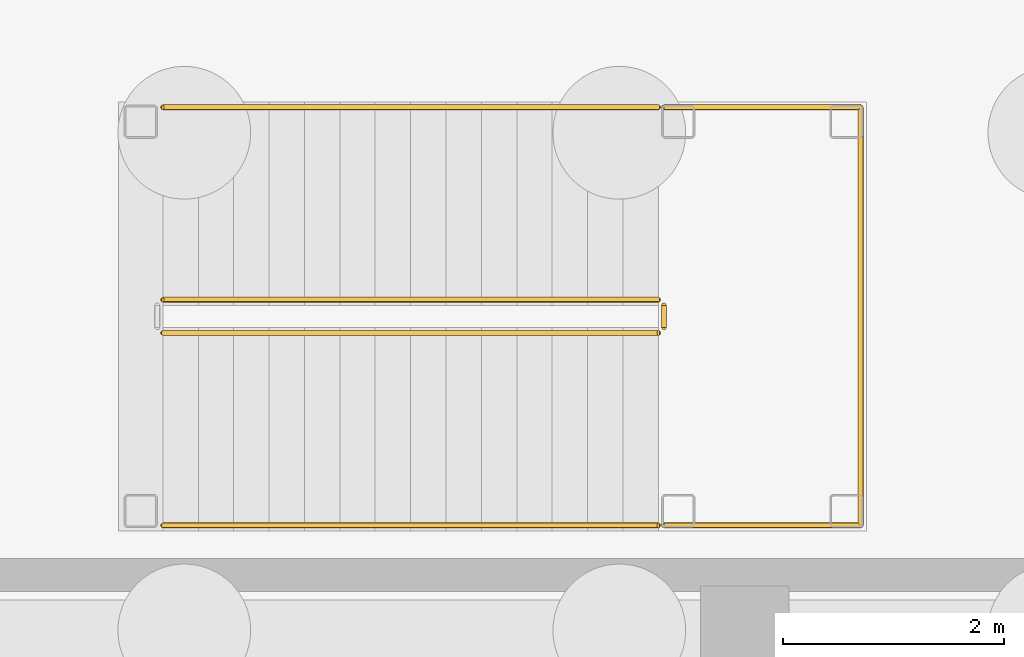
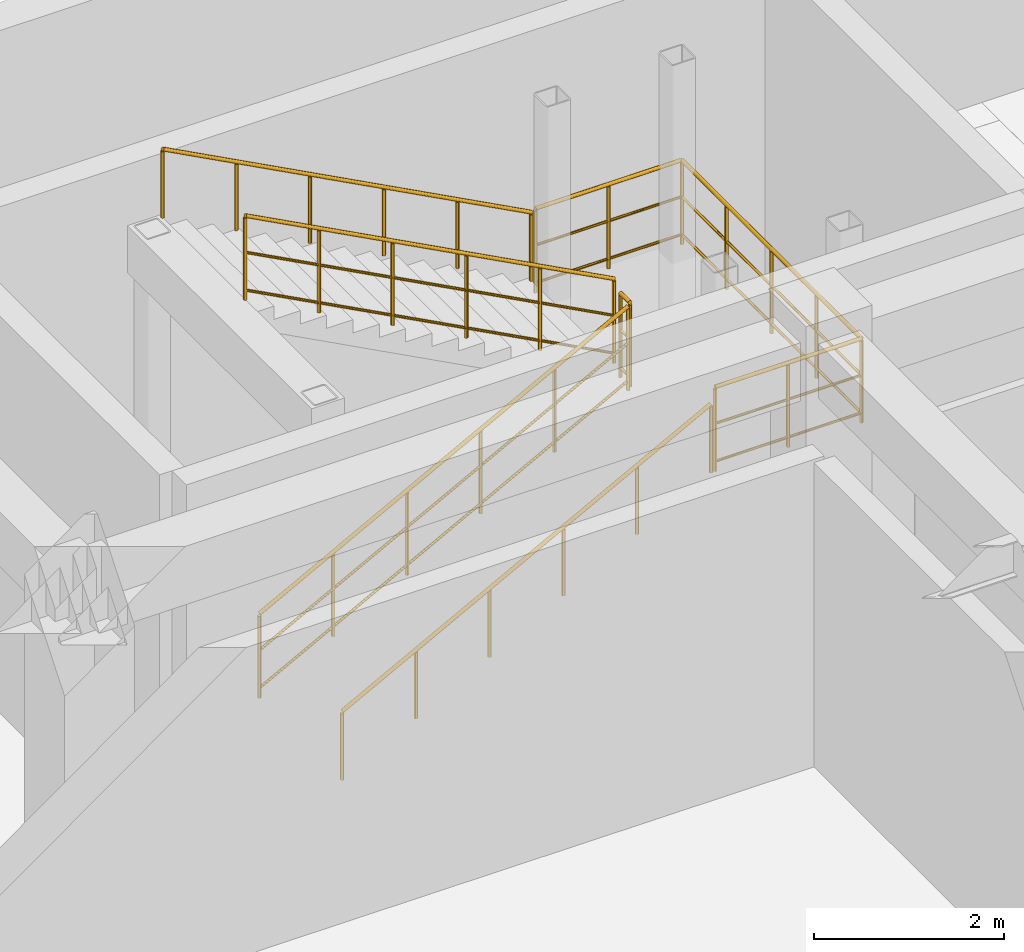
# One storey, part 61 of 62: 6 railings.
"""IFC4 building model written with IfcOpenShell, lengths in metres."""

from ifc_helpers import new_model, si_unit, direction, frame, origin, origin_2d, place, context, subcontext, project, spatial, circle, extrude, material, type_object, element, save


model = new_model("IFC4")

# Units and contexts
model_context = context("Model", 3, precision=1e-05, world=origin(), true_north=direction((0.0, 1.0)))
body_context = subcontext(model_context, "Body", "Model", "MODEL_VIEW")
ifc_project = project(units=[si_unit("LENGTHUNIT", "METRE"), si_unit("AREAUNIT", "SQUARE_METRE"), si_unit("VOLUMEUNIT", "CUBIC_METRE"), si_unit("PLANEANGLEUNIT", "RADIAN"), si_unit("MASSUNIT", "GRAM", prefix="KILO")], contexts=[model_context])

# Site, building, storey
site_placement = place(None, origin())
site = spatial("IfcSite", under=ifc_project, at=site_placement, CompositionType="ELEMENT")
building_placement = place(site_placement, origin())
building = spatial("IfcBuilding", under=site, at=building_placement, Name="Miravela Opera House", CompositionType="ELEMENT")
storey_placement = place(building_placement, frame((0.0, 0.0, -5.10009765625)))
storey = spatial("IfcBuildingStorey", under=building, at=storey_placement, Name="B01", CompositionType="ELEMENT", Elevation=-5.10009765625)

# Railings
ifc_material_1 = material(Name="Brushed bronze continuous stair handrail")
railing_type_1 = type_object("IfcRailingType", Name="ARC-RAIL-HAND-900", PredefinedType="HANDRAIL", material=ifc_material_1)
railing_1_placement = place(storey_placement, frame((120.739990234375, 103.949951171875, 0.170166015625)))
element("IfcRailing", 1, at=railing_1_placement, inside=storey, type_object=railing_type_1, Name="B01 ST-09 stair handrail 1", PredefinedType="HANDRAIL", context=body_context, shape_type="SweptSolid", body=[
    extrude(circle(Radius=0.02392578125, at=origin_2d()), frame((0.0, 0.0, 0.8759765625), z_axis=(0.883124442951, 0.0, 0.469138804899), x_axis=(0.0, 1.0, 0.0)), (0.0, 0.0, 1.0), 5.07275390625),
    extrude(circle(Radius=0.02099609375, at=origin_2d()), origin(), (0.0, 0.0, 1.0), 0.851806640625),
    extrude(circle(Radius=0.02099609375, at=origin_2d()), frame((0.89599609375, 0.0, 0.47607421875)), (0.0, 0.0, 1.0), 0.851806640625),
    extrude(circle(Radius=0.02099609375, at=origin_2d()), frame((1.7919921875, 0.0, 0.951904296875)), (0.0, 0.0, 1.0), 0.851806640625),
    extrude(circle(Radius=0.02099609375, at=origin_2d()), frame((2.68798828125, 0.0, 1.427978515625)), (0.0, 0.0, 1.0), 0.851806640625),
    extrude(circle(Radius=0.02099609375, at=origin_2d()), frame((3.583984375, 0.0, 1.90380859375)), (0.0, 0.0, 1.0), 0.851806640625),
    extrude(circle(Radius=0.02099609375, at=origin_2d()), frame((4.47998046875, 0.0, 2.3798828125)), (0.0, 0.0, 1.0), 0.851806640625),
])
railing_2_placement = place(storey_placement, frame((125.219970703125, 107.72998046875, 2.72021484375)))
element("IfcRailing", 2, at=railing_2_placement, inside=storey, type_object=railing_type_1, Name="B01 ST-09 stair handrail 2", PredefinedType="HANDRAIL", context=body_context, shape_type="SweptSolid", body=[
    extrude(circle(Radius=0.02392578125, at=origin_2d()), frame((0.0, 0.0, 0.8759765625), z_axis=(-0.883124442951, 0.0, 0.469138804899), x_axis=(0.0, -1.0, 0.0)), (0.0, 0.0, 1.0), 5.07275390625),
    extrude(circle(Radius=0.02099609375, at=origin_2d()), origin(), (0.0, 0.0, 1.0), 0.851806640625),
    extrude(circle(Radius=0.02099609375, at=origin_2d()), frame((-0.89599609375, 0.0, 0.47607421875)), (0.0, 0.0, 1.0), 0.851806640625),
    extrude(circle(Radius=0.02099609375, at=origin_2d()), frame((-1.7919921875, 0.0, 0.951904296875)), (0.0, 0.0, 1.0), 0.851806640625),
    extrude(circle(Radius=0.02099609375, at=origin_2d()), frame((-2.68798828125, 0.0, 1.427978515625)), (0.0, 0.0, 1.0), 0.851806640625),
    extrude(circle(Radius=0.02099609375, at=origin_2d()), frame((-3.583984375, 0.0, 1.90380859375)), (0.0, 0.0, 1.0), 0.851806640625),
    extrude(circle(Radius=0.02099609375, at=origin_2d()), frame((-4.47998046875, 0.0, 2.3798828125)), (0.0, 0.0, 1.0), 0.851806640625),
])
ifc_material_2 = material(Name="Painted wrought-iron stair guardrail")
railing_type_2 = type_object("IfcRailingType", Name="ARC-RAIL-STAIR-GUARD", PredefinedType="GUARDRAIL", material=ifc_material_2)
railing_3_placement = place(storey_placement, frame((120.739990234375, 105.68994140625, 0.170166015625)))
element("IfcRailing", 3, at=railing_3_placement, inside=storey, type_object=railing_type_2, Name="B01 ST-09 stair guard 1", PredefinedType="GUARDRAIL", context=body_context, shape_type="SweptSolid", body=[
    extrude(circle(Radius=0.02392578125, at=origin_2d()), frame((0.0, 0.0, 1.076171875), z_axis=(0.883124442951, 0.0, 0.469138804899), x_axis=(0.0, 1.0, 0.0)), (0.0, 0.0, 1.0), 5.07275390625),
    extrude(circle(Radius=0.01611328125, at=origin_2d()), frame((0.0, 0.0, 0.60498046875), z_axis=(0.883124442951, 0.0, 0.469138804899), x_axis=(0.0, 1.0, 0.0)), (0.0, 0.0, 1.0), 5.07275390625),
    extrude(circle(Radius=0.01611328125, at=origin_2d()), frame((0.0, 0.0, 0.1201171875), z_axis=(0.883124442951, 0.0, 0.469138804899), x_axis=(0.0, 1.0, 0.0)), (0.0, 0.0, 1.0), 5.07275390625),
    extrude(circle(Radius=0.02099609375, at=origin_2d()), origin(), (0.0, 0.0, 1.0), 1.052001953125),
    extrude(circle(Radius=0.02099609375, at=origin_2d()), frame((0.89599609375, 0.0, 0.47607421875)), (0.0, 0.0, 1.0), 1.052001953125),
    extrude(circle(Radius=0.02099609375, at=origin_2d()), frame((1.7919921875, 0.0, 0.951904296875)), (0.0, 0.0, 1.0), 1.052001953125),
    extrude(circle(Radius=0.02099609375, at=origin_2d()), frame((2.68798828125, 0.0, 1.427978515625)), (0.0, 0.0, 1.0), 1.052001953125),
    extrude(circle(Radius=0.02099609375, at=origin_2d()), frame((3.583984375, 0.0, 1.90380859375)), (0.0, 0.0, 1.0), 1.052001953125),
    extrude(circle(Radius=0.02099609375, at=origin_2d()), frame((4.47998046875, 0.0, 2.3798828125)), (0.0, 0.0, 1.0), 1.052001953125),
])
railing_4_placement = place(storey_placement, frame((125.27001953125, 105.739990234375, 2.550048828125)))
element("IfcRailing", 4, at=railing_4_placement, inside=storey, type_object=railing_type_2, Name="B01 ST-09 stair guard 2", PredefinedType="GUARDRAIL", context=body_context, shape_type="SweptSolid", body=[
    extrude(circle(Radius=0.02392578125, at=origin_2d()), frame((0.0, 0.0, 1.076171875), z_axis=(0.0, 1.0, 0.0), x_axis=(-1.0, 0.0, 0.0)), (0.0, 0.0, 1.0), 0.199951171875),
    extrude(circle(Radius=0.01611328125, at=origin_2d()), frame((0.0, 0.0, 0.60498046875), z_axis=(0.0, 1.0, 0.0), x_axis=(-1.0, 0.0, 0.0)), (0.0, 0.0, 1.0), 0.199951171875),
    extrude(circle(Radius=0.01611328125, at=origin_2d()), frame((0.0, 0.0, 0.1201171875), z_axis=(0.0, 1.0, 0.0), x_axis=(-1.0, 0.0, 0.0)), (0.0, 0.0, 1.0), 0.199951171875),
    extrude(circle(Radius=0.02099609375, at=origin_2d()), origin(), (0.0, 0.0, 1.0), 1.052001953125),
    extrude(circle(Radius=0.02099609375, at=origin_2d()), frame((0.0, 0.199951171875, 0.0)), (0.0, 0.0, 1.0), 1.052001953125),
])
railing_5_placement = place(storey_placement, frame((125.219970703125, 105.989990234375, 2.72021484375)))
element("IfcRailing", 5, at=railing_5_placement, inside=storey, type_object=railing_type_2, Name="B01 ST-09 stair guard 3", PredefinedType="GUARDRAIL", context=body_context, shape_type="SweptSolid", body=[
    extrude(circle(Radius=0.02392578125, at=origin_2d()), frame((0.0, 0.0, 1.076171875), z_axis=(-0.883124442951, 0.0, 0.469138804899), x_axis=(0.0, -1.0, 0.0)), (0.0, 0.0, 1.0), 5.07275390625),
    extrude(circle(Radius=0.01611328125, at=origin_2d()), frame((0.0, 0.0, 0.60498046875), z_axis=(-0.883124442951, 0.0, 0.469138804899), x_axis=(0.0, -1.0, 0.0)), (0.0, 0.0, 1.0), 5.07275390625),
    extrude(circle(Radius=0.01611328125, at=origin_2d()), frame((0.0, 0.0, 0.1201171875), z_axis=(-0.883124442951, 0.0, 0.469138804899), x_axis=(0.0, -1.0, 0.0)), (0.0, 0.0, 1.0), 5.07275390625),
    extrude(circle(Radius=0.02099609375, at=origin_2d()), origin(), (0.0, 0.0, 1.0), 1.052001953125),
    extrude(circle(Radius=0.02099609375, at=origin_2d()), frame((-0.89599609375, 0.0, 0.47607421875)), (0.0, 0.0, 1.0), 1.052001953125),
    extrude(circle(Radius=0.02099609375, at=origin_2d()), frame((-1.7919921875, 0.0, 0.951904296875)), (0.0, 0.0, 1.0), 1.052001953125),
    extrude(circle(Radius=0.02099609375, at=origin_2d()), frame((-2.68798828125, 0.0, 1.427978515625)), (0.0, 0.0, 1.0), 1.052001953125),
    extrude(circle(Radius=0.02099609375, at=origin_2d()), frame((-3.583984375, 0.0, 1.90380859375)), (0.0, 0.0, 1.0), 1.052001953125),
    extrude(circle(Radius=0.02099609375, at=origin_2d()), frame((-4.47998046875, 0.0, 2.3798828125)), (0.0, 0.0, 1.0), 1.052001953125),
])
railing_6_placement = place(storey_placement, frame((125.27001953125, 103.949951171875, 2.550048828125)))
element("IfcRailing", 6, at=railing_6_placement, inside=storey, type_object=railing_type_2, Name="Stair ST-09 Half-Landing Perimeter Guard (B01) 0081", PredefinedType="GUARDRAIL", context=body_context, shape_type="SweptSolid", body=[
    extrude(circle(Radius=0.02392578125, at=origin_2d()), frame((0.0, 0.0, 1.076171875), z_axis=(1.0, 0.0, 0.0), x_axis=(0.0, 1.0, 0.0)), (0.0, 0.0, 1.0), 1.780029296875),
    extrude(circle(Radius=0.01611328125, at=origin_2d()), frame((0.0, 0.0, 0.60498046875), z_axis=(1.0, 0.0, 0.0), x_axis=(0.0, 1.0, 0.0)), (0.0, 0.0, 1.0), 1.780029296875),
    extrude(circle(Radius=0.01611328125, at=origin_2d()), frame((0.0, 0.0, 0.1201171875), z_axis=(1.0, 0.0, 0.0), x_axis=(0.0, 1.0, 0.0)), (0.0, 0.0, 1.0), 1.780029296875),
    extrude(circle(Radius=0.02392578125, at=origin_2d()), frame((1.780029296875, 0.0, 1.076171875), z_axis=(0.0, 1.0, 0.0), x_axis=(-1.0, 0.0, 0.0)), (0.0, 0.0, 1.0), 3.780029296875),
    extrude(circle(Radius=0.01611328125, at=origin_2d()), frame((1.780029296875, 0.0, 0.60498046875), z_axis=(0.0, 1.0, 0.0), x_axis=(-1.0, 0.0, 0.0)), (0.0, 0.0, 1.0), 3.780029296875),
    extrude(circle(Radius=0.01611328125, at=origin_2d()), frame((1.780029296875, 0.0, 0.1201171875), z_axis=(0.0, 1.0, 0.0), x_axis=(-1.0, 0.0, 0.0)), (0.0, 0.0, 1.0), 3.780029296875),
    extrude(circle(Radius=0.02392578125, at=origin_2d()), frame((1.780029296875, 3.780029296875, 1.076171875), z_axis=(-1.0, 0.0, 0.0), x_axis=(0.0, -1.0, 0.0)), (0.0, 0.0, 1.0), 1.780029296875),
    extrude(circle(Radius=0.01611328125, at=origin_2d()), frame((1.780029296875, 3.780029296875, 0.60498046875), z_axis=(-1.0, 0.0, 0.0), x_axis=(0.0, -1.0, 0.0)), (0.0, 0.0, 1.0), 1.780029296875),
    extrude(circle(Radius=0.01611328125, at=origin_2d()), frame((1.780029296875, 3.780029296875, 0.1201171875), z_axis=(-1.0, 0.0, 0.0), x_axis=(0.0, -1.0, 0.0)), (0.0, 0.0, 1.0), 1.780029296875),
    extrude(circle(Radius=0.02099609375, at=origin_2d()), origin(), (0.0, 0.0, 1.0), 1.052001953125),
    extrude(circle(Radius=0.02099609375, at=origin_2d()), frame((0.89013671875, 0.0, 0.0)), (0.0, 0.0, 1.0), 1.052001953125),
    extrude(circle(Radius=0.02099609375, at=origin_2d()), frame((1.780029296875, 0.0, 0.0)), (0.0, 0.0, 1.0), 1.052001953125),
    extrude(circle(Radius=0.02099609375, at=origin_2d()), frame((1.780029296875, 0.945068359375, 0.0)), (0.0, 0.0, 1.0), 1.052001953125),
    extrude(circle(Radius=0.02099609375, at=origin_2d()), frame((1.780029296875, 1.89013671875, 0.0)), (0.0, 0.0, 1.0), 1.052001953125),
    extrude(circle(Radius=0.02099609375, at=origin_2d()), frame((1.780029296875, 2.8349609375, 0.0)), (0.0, 0.0, 1.0), 1.052001953125),
    extrude(circle(Radius=0.02099609375, at=origin_2d()), frame((1.780029296875, 3.780029296875, 0.0)), (0.0, 0.0, 1.0), 1.052001953125),
    extrude(circle(Radius=0.02099609375, at=origin_2d()), frame((0.89013671875, 3.780029296875, 0.0)), (0.0, 0.0, 1.0), 1.052001953125),
    extrude(circle(Radius=0.02099609375, at=origin_2d()), frame((0.0, 3.780029296875, 0.0)), (0.0, 0.0, 1.0), 1.052001953125),
])

save(model, "model.ifc")
